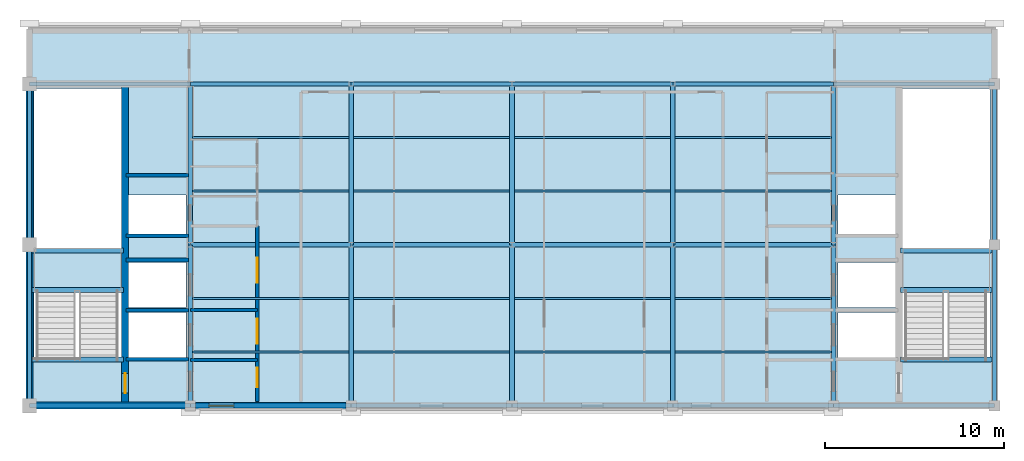
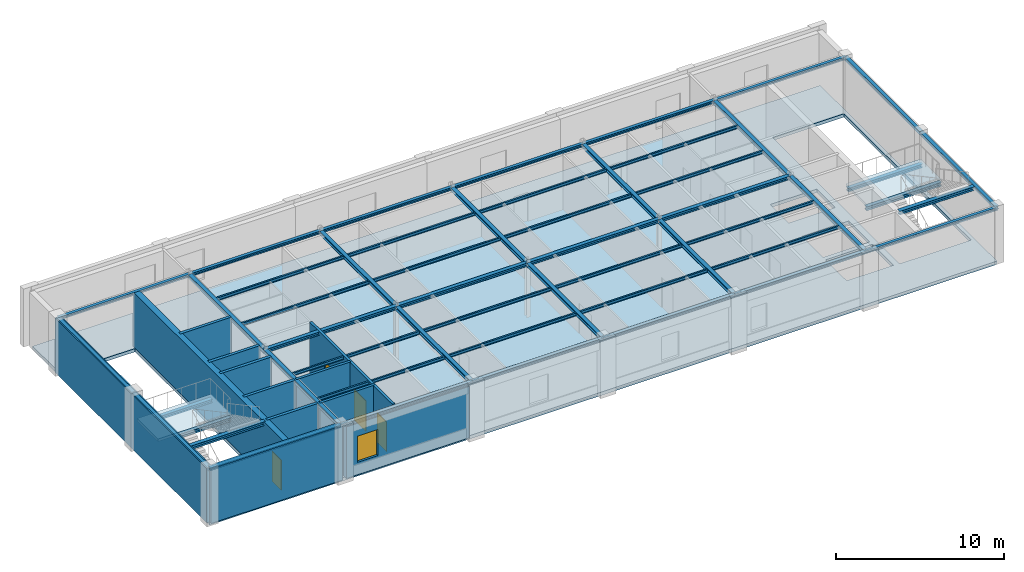
# One storey, part 3 of 7: 52 beams, 12 walls, 4 doors, 3 slabs, 1 window, 11 openings, 2 elements without a shape of their own.
"""IFC4 building model written with IfcOpenShell, lengths in metres."""

from ifc_helpers import new_model, si_unit, direction, frame, frame_2d, origin, origin_2d, place, context, subcontext, project, spatial, polyline, rectangle, i_section, outline, extrude, material, layer, layer_set, material_profile, profile_set, type_object, element, fill, aggregate, save


model = new_model("IFC4")

# Units and contexts
model_context = context("Model", 3, precision=1e-05, world=origin(), true_north=direction((0.0, 1.0)))
body_context = subcontext(model_context, "Body", "Model", "MODEL_VIEW")
ifc_project = project(units=[si_unit("LENGTHUNIT", "METRE"), si_unit("AREAUNIT", "SQUARE_METRE"), si_unit("VOLUMEUNIT", "CUBIC_METRE"), si_unit("PLANEANGLEUNIT", "RADIAN"), si_unit("MASSUNIT", "GRAM", prefix="KILO")], contexts=[model_context])

# Site, building, storey
site_placement = place(None, origin())
site = spatial("IfcSite", under=ifc_project, at=site_placement, CompositionType="ELEMENT")
building_placement = place(site_placement, origin())
building = spatial("IfcBuilding", under=site, at=building_placement, Name="Lykobir Media Centre", CompositionType="ELEMENT")
storey_placement = place(building_placement, frame((0.0, 0.0, 31.800048828125)))
storey = spatial("IfcBuildingStorey", under=building, at=storey_placement, Name="L07", CompositionType="ELEMENT", Elevation=31.800048828125)

# Beams
ifc_material_1 = material(Name="Steel S355", Category="steel")
ifc_material_profile_1 = material_profile(ifc_material_1, i_section(OverallWidth=0.260009765625, OverallDepth=0.25, WebThickness=0.007568359375, FlangeThickness=0.012451171875, at=origin_2d()), Name="HEA 260")
ifc_profile_set_1 = profile_set([ifc_material_profile_1], Name="Steel S355")
beam_type_1 = type_object("IfcBeamType", Name="BM-HEA260", PredefinedType="BEAM", material=ifc_profile_set_1)
for number, where, z_axis, x_axis, name in (
    (1, (36.0, 9.0, 3.8349609375), (1.0, 0.0, 0.0), (0.0, 1.0, 0.0), "Beam BM-L07-0360-0090-0450-0090-3564"),
    (2, (45.0, 9.0, 3.8349609375), (1.0, 0.0, 0.0), (0.0, 1.0, 0.0), "Beam BM-L07-0450-0090-0540-0090-3564"),
    (3, (54.0, 9.0, 3.8349609375), (1.0, 0.0, 0.0), (0.0, 1.0, 0.0), "Beam BM-L07-0540-0090-0630-0090-3564"),
    (4, (63.0, 9.0, 3.8349609375), (1.0, 0.0, 0.0), (0.0, 1.0, 0.0), "Beam BM-L07-0630-0090-0720-0090-3564"),
    (5, (36.0, 0.0, 3.8349609375), (0.0, 1.0, 0.0), (-1.0, 0.0, 0.0), "Beam BM-L07-0360-0000-0360-0090-3564"),
    (6, (36.0, 9.0, 3.8349609375), (0.0, 1.0, 0.0), (-1.0, 0.0, 0.0), "Beam BM-L07-0360-0090-0360-0180-3564"),
    (7, (45.0, 0.0, 3.8349609375), (0.0, 1.0, 0.0), (-1.0, 0.0, 0.0), "Beam BM-L07-0450-0000-0450-0090-3564"),
    (8, (45.0, 9.0, 3.8349609375), (0.0, 1.0, 0.0), (-1.0, 0.0, 0.0), "Beam BM-L07-0450-0090-0450-0180-3564"),
    (9, (54.0, 0.0, 3.8349609375), (0.0, 1.0, 0.0), (-1.0, 0.0, 0.0), "Beam BM-L07-0540-0000-0540-0090-3564"),
    (10, (54.0, 9.0, 3.8349609375), (0.0, 1.0, 0.0), (-1.0, 0.0, 0.0), "Beam BM-L07-0540-0090-0540-0180-3564"),
    (11, (63.0, 0.0, 3.8349609375), (0.0, 1.0, 0.0), (-1.0, 0.0, 0.0), "Beam BM-L07-0630-0000-0630-0090-3564"),
    (12, (63.0, 9.0, 3.8349609375), (0.0, 1.0, 0.0), (-1.0, 0.0, 0.0), "Beam BM-L07-0630-0090-0630-0180-3564"),
    (13, (72.0, 0.0, 3.8349609375), (0.0, 1.0, 0.0), (-1.0, 0.0, 0.0), "Beam BM-L07-0720-0000-0720-0090-3564"),
    (14, (72.0, 9.0, 3.8349609375), (0.0, 1.0, 0.0), (-1.0, 0.0, 0.0), "Beam BM-L07-0720-0090-0720-0180-3564"),
):
    element("IfcBeam", number, at=place(storey_placement, frame(where, z_axis=z_axis, x_axis=x_axis)), inside=storey, type_object=beam_type_1, Name=name, PredefinedType="BEAM", context=body_context, shape_type="SweptSolid", body=[
        extrude(i_section(OverallWidth=0.260009765625, OverallDepth=0.25, WebThickness=0.007568359375, FlangeThickness=0.012451171875, at=origin_2d()), origin(), (0.0, 0.0, 1.0), 9.0),
    ])
ifc_material_profile_2 = material_profile(ifc_material_1, i_section(OverallWidth=0.260009765625, OverallDepth=0.25, WebThickness=0.007568359375, FlangeThickness=0.012451171875, at=origin_2d()), Name="HEA 260")
ifc_profile_set_2 = profile_set([ifc_material_profile_2], Name="Steel S355")
beam_type_2 = type_object("IfcBeamType", Name="BM-ST260", PredefinedType="BEAM", material=ifc_profile_set_2)
for number, where, z_axis, x_axis, name in (
    (15, (27.1298828125, 8.679931640625, 1.780029296875), (1.0, 0.0, 0.0), (0.0, 1.0, 0.0), "ST-1 L07 half-landing support beam"),
    (16, (75.72998046875, 8.679931640625, 1.780029296875), (1.0, 0.0, 0.0), (0.0, 1.0, 0.0), "ST-2 L07 half-landing support beam"),
):
    element("IfcBeam", number, at=place(storey_placement, frame(where, z_axis=z_axis, x_axis=x_axis)), inside=storey, type_object=beam_type_2, Name=name, PredefinedType="BEAM", context=body_context, shape_type="SweptSolid", body=[
        extrude(i_section(OverallWidth=0.260009765625, OverallDepth=0.25, WebThickness=0.007568359375, FlangeThickness=0.012451171875, at=origin_2d()), origin(), (0.0, 0.0, 1.0), 5.14013671875),
    ])
ifc_material_profile_3 = material_profile(ifc_material_1, i_section(OverallWidth=0.280029296875, OverallDepth=0.27001953125, WebThickness=0.008056640625, FlangeThickness=0.012939453125, at=origin_2d()), Name="HEA 280")
ifc_profile_set_3 = profile_set([ifc_material_profile_3], Name="Steel S355")
beam_type_3 = type_object("IfcBeamType", Name="BM-ST280", PredefinedType="BEAM", material=ifc_profile_set_3)
for number, where, z_axis, x_axis, name in (
    (17, (27.1298828125, 2.580078125, 3.824951171875), (1.0, 0.0, 0.0), (0.0, 1.0, 0.0), "ST-1 L07 arrival trimmer beam"),
    (18, (27.1298828125, 6.47998046875, 1.77001953125), (1.0, 0.0, 0.0), (0.0, 1.0, 0.0), "ST-1 L07 mid-landing trimmer beam"),
    (19, (75.72998046875, 2.580078125, 3.824951171875), (1.0, 0.0, 0.0), (0.0, 1.0, 0.0), "ST-2 L07 arrival trimmer beam"),
    (20, (75.72998046875, 6.47998046875, 1.77001953125), (1.0, 0.0, 0.0), (0.0, 1.0, 0.0), "ST-2 L07 mid-landing trimmer beam"),
):
    element("IfcBeam", number, at=place(storey_placement, frame(where, z_axis=z_axis, x_axis=x_axis)), inside=storey, type_object=beam_type_3, Name=name, PredefinedType="BEAM", context=body_context, shape_type="SweptSolid", body=[
        extrude(i_section(OverallWidth=0.280029296875, OverallDepth=0.27001953125, WebThickness=0.008056640625, FlangeThickness=0.012939453125, at=origin_2d()), origin(), (0.0, 0.0, 1.0), 5.14013671875),
    ])
ifc_material_profile_4 = material_profile(ifc_material_1, i_section(OverallWidth=0.110107421875, OverallDepth=0.219970703125, WebThickness=0.005859375, FlangeThickness=0.00927734375, at=origin_2d()), Name="IPE 220")
ifc_profile_set_4 = profile_set([ifc_material_profile_4], Name="Steel S355")
beam_type_4 = type_object("IfcBeamType", Name="JS-IPE220", PredefinedType="JOIST", material=ifc_profile_set_4)
for number, where, z_axis, x_axis, name in (
    (21, (36.1298828125, 3.0, 3.849853515625), (1.0, 0.0, 0.0), (0.0, 1.0, 0.0), "Beam BM-L07-0361-0030-0449-0030-3565"),
    (22, (36.1298828125, 6.0, 3.849853515625), (1.0, 0.0, 0.0), (0.0, 1.0, 0.0), "Beam BM-L07-0361-0060-0449-0060-3565"),
    (23, (36.1298828125, 12.0, 3.849853515625), (1.0, 0.0, 0.0), (0.0, 1.0, 0.0), "Beam BM-L07-0361-0120-0449-0120-3565"),
    (24, (36.1298828125, 15.0, 3.849853515625), (1.0, 0.0, 0.0), (0.0, 1.0, 0.0), "Beam BM-L07-0361-0150-0449-0150-3565"),
    (25, (45.1298828125, 3.0, 3.849853515625), (1.0, 0.0, 0.0), (0.0, 1.0, 0.0), "Beam BM-L07-0451-0030-0539-0030-3565"),
    (26, (45.1298828125, 6.0, 3.849853515625), (1.0, 0.0, 0.0), (0.0, 1.0, 0.0), "Beam BM-L07-0451-0060-0539-0060-3565"),
    (27, (45.1298828125, 12.0, 3.849853515625), (1.0, 0.0, 0.0), (0.0, 1.0, 0.0), "Beam BM-L07-0451-0120-0539-0120-3565"),
    (28, (45.1298828125, 15.0, 3.849853515625), (1.0, 0.0, 0.0), (0.0, 1.0, 0.0), "Beam BM-L07-0451-0150-0539-0150-3565"),
    (29, (54.1298828125, 3.0, 3.849853515625), (1.0, 0.0, 0.0), (0.0, 1.0, 0.0), "Beam BM-L07-0541-0030-0629-0030-3565"),
    (30, (54.1298828125, 6.0, 3.849853515625), (1.0, 0.0, 0.0), (0.0, 1.0, 0.0), "Beam BM-L07-0541-0060-0629-0060-3565"),
    (31, (54.1298828125, 12.0, 3.849853515625), (1.0, 0.0, 0.0), (0.0, 1.0, 0.0), "Beam BM-L07-0541-0120-0629-0120-3565"),
    (32, (54.1298828125, 15.0, 3.849853515625), (1.0, 0.0, 0.0), (0.0, 1.0, 0.0), "Beam BM-L07-0541-0150-0629-0150-3565"),
    (33, (63.1298828125, 3.0, 3.849853515625), (1.0, 0.0, 0.0), (0.0, 1.0, 0.0), "Beam BM-L07-0631-0030-0719-0030-3565"),
    (34, (63.1298828125, 6.0, 3.849853515625), (1.0, 0.0, 0.0), (0.0, 1.0, 0.0), "Beam BM-L07-0631-0060-0719-0060-3565"),
    (35, (63.1298828125, 12.0, 3.849853515625), (1.0, 0.0, 0.0), (0.0, 1.0, 0.0), "Beam BM-L07-0631-0120-0719-0120-3565"),
    (36, (63.1298828125, 15.0, 3.849853515625), (1.0, 0.0, 0.0), (0.0, 1.0, 0.0), "Beam BM-L07-0631-0150-0719-0150-3565"),
):
    element("IfcBeam", number, at=place(storey_placement, frame(where, z_axis=z_axis, x_axis=x_axis)), inside=storey, type_object=beam_type_4, Name=name, PredefinedType="JOIST", context=body_context, shape_type="SweptSolid", body=[
        extrude(i_section(OverallWidth=0.110107421875, OverallDepth=0.219970703125, WebThickness=0.005859375, FlangeThickness=0.00927734375, at=origin_2d()), origin(), (0.0, 0.0, 1.0), 8.740234375),
    ])
ifc_material_profile_5 = material_profile(ifc_material_1, i_section(OverallWidth=0.219970703125, OverallDepth=0.2099609375, WebThickness=0.007080078125, FlangeThickness=0.010986328125, at=origin_2d()), Name="HEA 220")
ifc_profile_set_5 = profile_set([ifc_material_profile_5], Name="Steel S355")
beam_type_5 = type_object("IfcBeamType", Name="SP-HEA220", PredefinedType="SPANDREL", material=ifc_profile_set_5)
for number, where, z_axis, x_axis, name in (
    (37, (27.0, 18.0, 3.85498046875), (1.0, 0.0, 0.0), (0.0, 1.0, 0.0), "Beam BM-L07-0270-0180-0360-0180-3566"),
    (38, (36.0, 18.0, 3.85498046875), (1.0, 0.0, 0.0), (0.0, 1.0, 0.0), "Beam BM-L07-0360-0180-0450-0180-3566"),
    (39, (45.0, 18.0, 3.85498046875), (1.0, 0.0, 0.0), (0.0, 1.0, 0.0), "Beam BM-L07-0450-0180-0540-0180-3566"),
    (40, (54.0, 18.0, 3.85498046875), (1.0, 0.0, 0.0), (0.0, 1.0, 0.0), "Beam BM-L07-0540-0180-0630-0180-3566"),
    (41, (63.0, 18.0, 3.85498046875), (1.0, 0.0, 0.0), (0.0, 1.0, 0.0), "Beam BM-L07-0630-0180-0720-0180-3566"),
    (42, (72.0, 18.0, 3.85498046875), (1.0, 0.0, 0.0), (0.0, 1.0, 0.0), "Beam BM-L07-0720-0180-0810-0180-3566"),
):
    element("IfcBeam", number, at=place(storey_placement, frame(where, z_axis=z_axis, x_axis=x_axis)), inside=storey, type_object=beam_type_5, Name=name, PredefinedType="SPANDREL", context=body_context, shape_type="SweptSolid", body=[
        extrude(i_section(OverallWidth=0.219970703125, OverallDepth=0.2099609375, WebThickness=0.007080078125, FlangeThickness=0.010986328125, at=origin_2d()), origin(), (0.0, 0.0, 1.0), 9.0),
    ])
ifc_material_profile_6 = material_profile(ifc_material_1, i_section(OverallWidth=0.219970703125, OverallDepth=0.2099609375, WebThickness=0.007080078125, FlangeThickness=0.010986328125, at=origin_2d()), Name="HEA 220")
ifc_profile_set_6 = profile_set([ifc_material_profile_6], Name="Steel S355")
beam_type_6 = type_object("IfcBeamType", Name="SP-HEA220-E", PredefinedType="SPANDREL", material=ifc_profile_set_6)
for number, where, z_axis, x_axis, name in (
    (43, (27.0, 0.0, 3.85498046875), (1.0, 0.0, 0.0), (0.0, 1.0, 0.0), "Beam BM-L07-0270-0000-0360-0000-3566"),
    (44, (36.0, 0.0, 3.85498046875), (1.0, 0.0, 0.0), (0.0, 1.0, 0.0), "Beam BM-L07-0360-0000-0450-0000-3566"),
    (45, (45.0, 0.0, 3.85498046875), (1.0, 0.0, 0.0), (0.0, 1.0, 0.0), "Beam BM-L07-0450-0000-0540-0000-3566"),
    (46, (54.0, 0.0, 3.85498046875), (1.0, 0.0, 0.0), (0.0, 1.0, 0.0), "Beam BM-L07-0540-0000-0630-0000-3566"),
    (47, (63.0, 0.0, 3.85498046875), (1.0, 0.0, 0.0), (0.0, 1.0, 0.0), "Beam BM-L07-0630-0000-0720-0000-3566"),
    (48, (72.0, 0.0, 3.85498046875), (1.0, 0.0, 0.0), (0.0, 1.0, 0.0), "Beam BM-L07-0720-0000-0810-0000-3566"),
):
    element("IfcBeam", number, at=place(storey_placement, frame(where, z_axis=z_axis, x_axis=x_axis)), inside=storey, type_object=beam_type_6, Name=name, PredefinedType="SPANDREL", context=body_context, shape_type="SweptSolid", body=[
        extrude(i_section(OverallWidth=0.219970703125, OverallDepth=0.2099609375, WebThickness=0.007080078125, FlangeThickness=0.010986328125, at=origin_2d()), origin(), (0.0, 0.0, 1.0), 9.0),
    ])
ifc_material_profile_7 = material_profile(ifc_material_1, i_section(OverallWidth=0.239990234375, OverallDepth=0.22998046875, WebThickness=0.007568359375, FlangeThickness=0.011962890625, at=origin_2d()), Name="HEA 240")
ifc_profile_set_7 = profile_set([ifc_material_profile_7], Name="Steel S355")
beam_type_7 = type_object("IfcBeamType", Name="SP-HEA240", PredefinedType="SPANDREL", material=ifc_profile_set_7)
for number, where, z_axis, x_axis, name in (
    (49, (27.0, 0.0, 3.844970703125), (0.0, 1.0, 0.0), (-1.0, 0.0, 0.0), "Beam BM-L07-0270-0000-0270-0090-3565"),
    (50, (27.0, 9.0, 3.844970703125), (0.0, 1.0, 0.0), (-1.0, 0.0, 0.0), "Beam BM-L07-0270-0090-0270-0180-3565"),
):
    element("IfcBeam", number, at=place(storey_placement, frame(where, z_axis=z_axis, x_axis=x_axis)), inside=storey, type_object=beam_type_7, Name=name, PredefinedType="SPANDREL", context=body_context, shape_type="SweptSolid", body=[
        extrude(i_section(OverallWidth=0.239990234375, OverallDepth=0.22998046875, WebThickness=0.007568359375, FlangeThickness=0.011962890625, at=origin_2d()), origin(), (0.0, 0.0, 1.0), 9.0),
    ])
ifc_material_profile_8 = material_profile(ifc_material_1, i_section(OverallWidth=0.239990234375, OverallDepth=0.22998046875, WebThickness=0.007568359375, FlangeThickness=0.011962890625, at=origin_2d()), Name="HEA 240")
ifc_profile_set_8 = profile_set([ifc_material_profile_8], Name="Steel S355")
beam_type_8 = type_object("IfcBeamType", Name="SP-HEA240-E", PredefinedType="SPANDREL", material=ifc_profile_set_8)
for number, where, z_axis, x_axis, name in (
    (51, (81.0, 0.0, 3.844970703125), (0.0, 1.0, 0.0), (-1.0, 0.0, 0.0), "Beam BM-L07-0810-0000-0810-0090-3565"),
    (52, (81.0, 9.0, 3.844970703125), (0.0, 1.0, 0.0), (-1.0, 0.0, 0.0), "Beam BM-L07-0810-0090-0810-0180-3565"),
):
    element("IfcBeam", number, at=place(storey_placement, frame(where, z_axis=z_axis, x_axis=x_axis)), inside=storey, type_object=beam_type_8, Name=name, PredefinedType="SPANDREL", context=body_context, shape_type="SweptSolid", body=[
        extrude(i_section(OverallWidth=0.239990234375, OverallDepth=0.22998046875, WebThickness=0.007568359375, FlangeThickness=0.011962890625, at=origin_2d()), origin(), (0.0, 0.0, 1.0), 9.0),
    ])

# Slab, openings
ifc_material_2 = material(Name="Concrete C30/37", Category="concrete")
ifc_layer_1 = layer(ifc_material_2, 0.239990234375, Name="Concrete C30/37")
ifc_layer_set_1 = layer_set([ifc_layer_1], Name="Concrete C30/37")
slab_type_1 = type_object("IfcSlabType", Name="FS-240", PredefinedType="FLOOR", material=ifc_layer_set_1)
slab_1_placement = place(storey_placement, frame((0.0, 0.0, -0.239990234375)))
slab_1 = element("IfcSlab", 53, at=slab_1_placement, inside=storey, type_object=slab_type_1, Name="L07 structural slab 1", PredefinedType="FLOOR", context=body_context, shape_type="SweptSolid", body=[
    extrude(outline(polyline([(81.0, 0.0), (81.0, 21.0), (27.0, 21.0), (27.0, 0.0), (81.0, 0.0)]), holes=[polyline([(27.25, 2.64990234375), (27.25, 17.75), (32.14990234375, 17.75), (32.14990234375, 2.64990234375), (27.25, 2.64990234375)]), polyline([(75.85009765625, 2.64990234375), (75.85009765625, 17.75), (80.75, 17.75), (80.75, 2.64990234375), (75.85009765625, 2.64990234375)])]), origin(), (0.0, 0.0, 1.0), 0.239990234375),
])
opening_1_placement = place(slab_1_placement, frame((34.14990234375, 3.949951171875, 0.0)))
element("IfcOpeningElement", 54, at=opening_1_placement, cuts=slab_1, Name="Shaft opening C1-pass_shaft-L07", PredefinedType="OPENING", context=body_context, shape_type="SweptSolid", body=[
    extrude(rectangle(XDim=3.199951171875, YDim=2.5, at=origin_2d()), origin(), (0.0, 0.0, 1.0), 0.239990234375),
])
opening_2_placement = place(slab_1_placement, frame((34.14990234375, 6.75, 0.0)))
element("IfcOpeningElement", 55, at=opening_2_placement, cuts=slab_1, Name="Shaft opening C1-ff_shaft-L07", PredefinedType="OPENING", context=body_context, shape_type="SweptSolid", body=[
    extrude(rectangle(XDim=3.199951171875, YDim=2.5, at=origin_2d()), origin(), (0.0, 0.0, 1.0), 0.239990234375),
])
opening_3_placement = place(slab_1_placement, frame((34.14990234375, 10.699951171875, 0.0)))
element("IfcOpeningElement", 56, at=opening_3_placement, cuts=slab_1, Name="Shaft opening C1-riser_shaft-L07", PredefinedType="OPENING", context=body_context, shape_type="SweptSolid", body=[
    extrude(rectangle(XDim=3.199951171875, YDim=2.199951171875, at=origin_2d()), origin(), (0.0, 0.0, 1.0), 0.239990234375),
])
opening_4_placement = place(slab_1_placement, frame((73.85009765625, 3.949951171875, 0.0)))
element("IfcOpeningElement", 57, at=opening_4_placement, cuts=slab_1, Name="Shaft opening C2-pass_shaft-L07", PredefinedType="OPENING", context=body_context, shape_type="SweptSolid", body=[
    extrude(rectangle(XDim=3.199951171875, YDim=2.5, at=origin_2d()), origin(), (0.0, 0.0, 1.0), 0.239990234375),
])
opening_5_placement = place(slab_1_placement, frame((73.85009765625, 6.75, 0.0)))
element("IfcOpeningElement", 58, at=opening_5_placement, cuts=slab_1, Name="Shaft opening C2-ff_shaft-L07", PredefinedType="OPENING", context=body_context, shape_type="SweptSolid", body=[
    extrude(rectangle(XDim=3.199951171875, YDim=2.5, at=origin_2d()), origin(), (0.0, 0.0, 1.0), 0.239990234375),
])
opening_6_placement = place(slab_1_placement, frame((73.85009765625, 10.699951171875, 0.0)))
element("IfcOpeningElement", 59, at=opening_6_placement, cuts=slab_1, Name="Shaft opening C2-riser_shaft-L07", PredefinedType="OPENING", context=body_context, shape_type="SweptSolid", body=[
    extrude(rectangle(XDim=3.199951171875, YDim=2.199951171875, at=origin_2d()), origin(), (0.0, 0.0, 1.0), 0.239990234375),
])

# Stair, slab
stair_type = type_object("IfcStairType", Name="ST-HT-420", PredefinedType="HALF_TURN_STAIR", material=ifc_material_2)
stair_1_placement = place(storey_placement, origin())
stair_1 = element("IfcStair", 60, at=stair_1_placement, inside=storey, type_object=stair_type, Name="Escape stair ST-1 L07", PredefinedType="HALF_TURN_STAIR")
ifc_layer_2 = layer(ifc_material_2, 0.195068359375, Name="Concrete C30/37")
ifc_layer_set_2 = layer_set([ifc_layer_2], Name="Concrete C30/37")
slab_type_2 = type_object("IfcSlabType", Name="SL-195", PredefinedType="LANDING", material=ifc_layer_set_2)
slab_2_placement = place(storey_placement, frame((0.0, 0.0, 1.905029296875)))
slab_2 = element("IfcSlab", 61, at=slab_2_placement, type_object=slab_type_2, Name="ST-1-L07 landing 1", PredefinedType="LANDING", context=body_context, shape_type="SweptSolid", body=[
    extrude(outline(polyline([(27.1298828125, 6.35009765625), (32.27001953125, 6.35009765625), (32.27001953125, 8.830078125), (27.1298828125, 8.830078125), (27.1298828125, 6.35009765625)])), origin(), (0.0, 0.0, 1.0), 0.19482421875),
])
aggregate(stair_1, [slab_2])

stair_2_placement = place(storey_placement, origin())
stair_2 = element("IfcStair", 62, at=stair_2_placement, inside=storey, type_object=stair_type, Name="Escape stair ST-2 L07", PredefinedType="HALF_TURN_STAIR")
slab_3_placement = place(storey_placement, frame((0.0, 0.0, 1.905029296875)))
slab_3 = element("IfcSlab", 63, at=slab_3_placement, type_object=slab_type_2, Name="ST-2-L07 landing 1", PredefinedType="LANDING", context=body_context, shape_type="SweptSolid", body=[
    extrude(outline(polyline([(75.72998046875, 6.35009765625), (80.8701171875, 6.35009765625), (80.8701171875, 8.830078125), (75.72998046875, 8.830078125), (75.72998046875, 6.35009765625)])), origin(), (0.0, 0.0, 1.0), 0.19482421875),
])
aggregate(stair_2, [slab_3])

# Wall, opening, window
ifc_material_3 = material(Name="Architectural Ochre Brick", Category="masonry")
ifc_layer_3 = layer(ifc_material_3, 0.360107421875, Name="Architectural Ochre Brick")
ifc_layer_set_3 = layer_set([ifc_layer_3], Name="Architectural Ochre Brick")
wall_type_1 = type_object("IfcWallType", Name="EW-BRK-360", PredefinedType="STANDARD", material=ifc_layer_set_3)
wall_1_placement = place(storey_placement, frame((36.284912109375, 0.0, 0.0), z_axis=(0.0, 0.0, 1.0), x_axis=(1.0, 0.0, 0.0)))
wall_1 = element("IfcWall", 64, at=wall_1_placement, inside=storey, type_object=wall_type_1, Name="Exterior wall WALL-L07-0368", PredefinedType="STANDARD", context=body_context, shape_type="SweptSolid", body=[
    extrude(rectangle(XDim=8.43017578125, YDim=0.360107421875, at=frame_2d((4.215087890625, 0.0))), origin(), (0.0, 0.0, 1.0), 3.73486328125),
])
opening_7_placement = place(wall_1_placement, frame((0.75, 0.0, 0.89990234375)))
opening_7 = element("IfcOpeningElement", 65, at=opening_7_placement, cuts=wall_1, Name="Opening WN-1400x1900", PredefinedType="OPENING", context=body_context, shape_type="SweptSolid", body=[
    extrude(rectangle(XDim=1.39990234375, YDim=1.89990234375, at=frame_2d((0.699951171875, 0.949951171875))), frame((0.0, 0.18994140625, 0.0), z_axis=(0.0, -1.0, 0.0), x_axis=(1.0, 0.0, 0.0)), (0.0, 0.0, 1.0), 0.380126953125),
])
ifc_material_4 = material(Name="Low-E Laminated Triple Glazing", Category="glass")
window_type = type_object("IfcWindowType", Name="WN-1400x1900", PartitioningType="SINGLE_PANEL", PredefinedType="WINDOW", material=ifc_material_4)
window_placement = place(opening_7_placement, origin())
window = element("IfcWindow", 66, at=window_placement, inside=storey, type_object=window_type, Name="Window WIN-L07-0169", OverallHeight=1.89990234375, OverallWidth=1.39990234375, PartitioningType="SINGLE_PANEL", PredefinedType="WINDOW", context=body_context, shape_type="SweptSolid", body=[
    extrude(rectangle(XDim=1.39990234375, YDim=1.89990234375, at=frame_2d((0.699951171875, 0.949951171875))), frame((0.0, 0.030029296875, 0.0), z_axis=(0.0, -1.0, 0.0), x_axis=(1.0, 0.0, 0.0)), (0.0, 0.0, 1.0), 0.06005859375),
])
fill(opening_7, window)

# Wall, openings, doors
ifc_material_5 = material(Name="Acoustic Gypsum Board", Category="gypsum")
ifc_layer_4 = layer(ifc_material_5, 0.179931640625, Name="Acoustic Gypsum Board")
ifc_layer_set_4 = layer_set([ifc_layer_4], Name="Acoustic Gypsum Board")
wall_type_2 = type_object("IfcWallType", Name="IW-FFLOB-180", PredefinedType="PARTITIONING", material=ifc_layer_set_4)
wall_2_placement = place(storey_placement, frame((39.75, 0.219970703125, 0.0), z_axis=(0.0, 0.0, 1.0), x_axis=(0.0, 1.0, 0.0)))
wall_2 = element("IfcWall", 67, at=wall_2_placement, inside=storey, type_object=wall_type_2, Name="Wall IWALL-L07-0155", PredefinedType="PARTITIONING", context=body_context, shape_type="SweptSolid", body=[
    extrude(rectangle(XDim=9.830078125, YDim=0.179931640625, at=frame_2d((4.9150390625, 0.0))), origin(), (0.0, 0.0, 1.0), 3.9599609375),
])
opening_8_placement = place(wall_2_placement, frame((0.800048828125, 0.0, 0.0)))
opening_8 = element("IfcOpeningElement", 68, at=opening_8_placement, cuts=wall_2, Name="Opening D-L07-C1LV", PredefinedType="OPENING", context=body_context, shape_type="SweptSolid", body=[
    extrude(rectangle(XDim=1.10009765625, YDim=2.159912109375, at=frame_2d((0.550048828125, 1.080078125))), frame((0.0, 0.099853515625, 0.0), z_axis=(0.0, -1.0, 0.0), x_axis=(1.0, 0.0, 0.0)), (0.0, 0.0, 1.0), 0.199951171875),
])
opening_9_placement = place(wall_2_placement, frame((3.25, 0.0, 0.0)))
opening_9 = element("IfcOpeningElement", 69, at=opening_9_placement, cuts=wall_2, Name="Opening D-L07-C1PL", PredefinedType="OPENING", context=body_context, shape_type="SweptSolid", body=[
    extrude(rectangle(XDim=1.39990234375, YDim=2.199951171875, at=frame_2d((0.699951171875, 1.10009765625))), frame((0.0, 0.099853515625, 0.0), z_axis=(0.0, -1.0, 0.0), x_axis=(1.0, 0.0, 0.0)), (0.0, 0.0, 1.0), 0.199951171875),
])
opening_10_placement = place(wall_2_placement, frame((6.64990234375, 0.0, 0.0)))
opening_10 = element("IfcOpeningElement", 70, at=opening_10_placement, cuts=wall_2, Name="Opening D-L07-C1FF", PredefinedType="OPENING", context=body_context, shape_type="SweptSolid", body=[
    extrude(rectangle(XDim=1.39990234375, YDim=2.199951171875, at=frame_2d((0.699951171875, 1.10009765625))), frame((0.0, 0.099853515625, 0.0), z_axis=(0.0, -1.0, 0.0), x_axis=(1.0, 0.0, 0.0)), (0.0, 0.0, 1.0), 0.199951171875),
])
ifc_material_6 = material(Name="Acoustic Timber Panelling", Category="wood")
door_type_1 = type_object("IfcDoorType", Name="FD-1100x2160", OperationType="NOTDEFINED", PredefinedType="DOOR", material=ifc_material_6)
door_1_placement = place(opening_8_placement, origin())
door_1 = element("IfcDoor", 71, at=door_1_placement, inside=storey, type_object=door_type_1, Name="Door D-L07-C1LV", OperationType="SINGLE_SWING_RIGHT", OverallHeight=2.159912109375, OverallWidth=1.10009765625, PredefinedType="DOOR", context=body_context, shape_type="SweptSolid", body=[
    extrude(rectangle(XDim=1.10009765625, YDim=2.159912109375, at=frame_2d((0.550048828125, 1.080078125))), frame((0.0, 0.02490234375, 0.0), z_axis=(0.0, -1.0, 0.0), x_axis=(1.0, 0.0, 0.0)), (0.0, 0.0, 1.0), 0.050048828125),
])
fill(opening_8, door_1)
door_type_2 = type_object("IfcDoorType", Name="FD-1400x2200", OperationType="NOTDEFINED", PredefinedType="DOOR", material=ifc_material_6)
door_2_placement = place(opening_9_placement, origin())
door_2 = element("IfcDoor", 72, at=door_2_placement, inside=storey, type_object=door_type_2, Name="Door D-L07-C1PL", OperationType="DOUBLE_DOOR_SINGLE_SWING", OverallHeight=2.199951171875, OverallWidth=1.39990234375, PredefinedType="DOOR", context=body_context, shape_type="SweptSolid", body=[
    extrude(rectangle(XDim=1.39990234375, YDim=2.199951171875, at=frame_2d((0.699951171875, 1.10009765625))), frame((0.0, 0.02490234375, 0.0), z_axis=(0.0, -1.0, 0.0), x_axis=(1.0, 0.0, 0.0)), (0.0, 0.0, 1.0), 0.050048828125),
])
fill(opening_9, door_2)
door_3_placement = place(opening_10_placement, origin())
door_3 = element("IfcDoor", 73, at=door_3_placement, inside=storey, type_object=door_type_2, Name="Door D-L07-C1FF", OperationType="DOUBLE_DOOR_SINGLE_SWING", OverallHeight=2.199951171875, OverallWidth=1.39990234375, PredefinedType="DOOR", context=body_context, shape_type="SweptSolid", body=[
    extrude(rectangle(XDim=1.39990234375, YDim=2.199951171875, at=frame_2d((0.699951171875, 1.10009765625))), frame((0.0, 0.02490234375, 0.0), z_axis=(0.0, -1.0, 0.0), x_axis=(1.0, 0.0, 0.0)), (0.0, 0.0, 1.0), 0.050048828125),
])
fill(opening_10, door_3)

# Walls
for number, where, z_axis, x_axis, name in (
    (74, (36.0, 2.550048828125, 0.0), (0.0, 0.0, 1.0), (1.0, 0.0, 0.0), "Wall IWALL-L07-0156"),
    (75, (36.0, 5.35009765625, 0.0), (0.0, 0.0, 1.0), (1.0, 0.0, 0.0), "Wall IWALL-L07-0157"),
):
    element("IfcWall", number, at=place(storey_placement, frame(where, z_axis=z_axis, x_axis=x_axis)), inside=storey, type_object=wall_type_2, Name=name, PredefinedType="PARTITIONING", context=body_context, shape_type="SweptSolid", body=[
        extrude(rectangle(XDim=3.75, YDim=0.179931640625, at=frame_2d((1.875, 0.0))), origin(), (0.0, 0.0, 1.0), 3.9599609375),
    ])
ifc_layer_5 = layer(ifc_material_2, 0.199951171875, Name="Concrete C30/37")
ifc_layer_set_5 = layer_set([ifc_layer_5], Name="Concrete C30/37")
wall_type_3 = type_object("IfcWallType", Name="IW-SHAFT-200", PredefinedType="PARTITIONING", material=ifc_layer_set_5)
for number, where, z_axis, x_axis, name in (
    (76, (32.39990234375, 2.60009765625, 0.0), (0.0, 0.0, 1.0), (1.0, 0.0, 0.0), "Wall IWALL-L07-0150"),
    (77, (32.39990234375, 5.35009765625, 0.0), (0.0, 0.0, 1.0), (1.0, 0.0, 0.0), "Wall IWALL-L07-0151"),
    (78, (32.39990234375, 8.14990234375, 0.0), (0.0, 0.0, 1.0), (1.0, 0.0, 0.0), "Wall IWALL-L07-0152"),
    (79, (32.39990234375, 9.5, 0.0), (0.0, 0.0, 1.0), (1.0, 0.0, 0.0), "Wall IWALL-L07-0153"),
    (80, (32.39990234375, 12.89990234375, 0.0), (0.0, 0.0, 1.0), (1.0, 0.0, 0.0), "Wall IWALL-L07-0154"),
):
    element("IfcWall", number, at=place(storey_placement, frame(where, z_axis=z_axis, x_axis=x_axis)), inside=storey, type_object=wall_type_3, Name=name, PredefinedType="PARTITIONING", context=body_context, shape_type="SweptSolid", body=[
        extrude(rectangle(XDim=3.5, YDim=0.199951171875, at=frame_2d((1.75, 0.0))), origin(), (0.0, 0.0, 1.0), 3.9599609375),
    ])

# Wall, opening, door
ifc_material_7 = material(Name="Concrete C40/50", Category="concrete")
ifc_layer_6 = layer(ifc_material_7, 0.39990234375, Name="Concrete C40/50")
ifc_layer_set_6 = layer_set([ifc_layer_6], Name="Concrete C40/50")
wall_type_4 = type_object("IfcWallType", Name="SW-CORE-400", PredefinedType="SHEAR", material=ifc_layer_set_6)
wall_3_placement = place(storey_placement, frame((32.35009765625, 0.0, 0.0), z_axis=(0.0, 0.0, 1.0), x_axis=(0.0, 1.0, 0.0)))
wall_3 = element("IfcWall", 81, at=wall_3_placement, inside=storey, type_object=wall_type_4, Name="Wall IWALL-L07-0149", PredefinedType="SHEAR", context=body_context, shape_type="SweptSolid", body=[
    extrude(rectangle(XDim=18.0, YDim=0.39990234375, at=frame_2d((9.0, 0.0))), origin(), (0.0, 0.0, 1.0), 3.9599609375),
])
opening_11_placement = place(wall_3_placement, frame((0.699951171875, 0.0, 0.0)))
opening_11 = element("IfcOpeningElement", 82, at=opening_11_placement, cuts=wall_3, Name="Opening D-L07-C1ST", PredefinedType="OPENING", context=body_context, shape_type="SweptSolid", body=[
    extrude(rectangle(XDim=1.10009765625, YDim=2.159912109375, at=frame_2d((0.550048828125, 1.080078125))), frame((0.0, 0.2099609375, 0.0), z_axis=(0.0, -1.0, 0.0), x_axis=(1.0, 0.0, 0.0)), (0.0, 0.0, 1.0), 0.419921875),
])
door_4_placement = place(opening_11_placement, frame((1.10009765625, 0.0, 0.0), z_axis=(0.0, 0.0, 1.0), x_axis=(-1.0, 0.0, 0.0)))
door_4 = element("IfcDoor", 83, at=door_4_placement, inside=storey, type_object=door_type_1, Name="L07 ST-1 stairwell fire door", OperationType="SINGLE_SWING_LEFT", OverallHeight=2.159912109375, OverallWidth=1.10009765625, PredefinedType="DOOR", context=body_context, shape_type="SweptSolid", body=[
    extrude(rectangle(XDim=1.10009765625, YDim=2.159912109375, at=frame_2d((0.550048828125, 1.080078125))), frame((0.0, 0.02490234375, 0.0), z_axis=(0.0, -1.0, 0.0), x_axis=(1.0, 0.0, 0.0)), (0.0, 0.0, 1.0), 0.050048828125),
])
fill(opening_11, door_4)

# Walls
ifc_layer_7 = layer(ifc_material_7, 0.39990234375, Name="Concrete C40/50")
ifc_layer_set_7 = layer_set([ifc_layer_7], Name="Concrete C40/50")
wall_type_5 = type_object("IfcWallType", Name="SW-CORE-400-E", PredefinedType="SHEAR", material=ifc_layer_set_7)
wall_4_placement = place(storey_placement, frame((27.0, 0.0, 0.0), z_axis=(0.0, 0.0, 1.0), x_axis=(1.0, 0.0, 0.0)))
element("IfcWall", 84, at=wall_4_placement, inside=storey, type_object=wall_type_5, Name="Wall IWALL-L07-0145", PredefinedType="SHEAR", context=body_context, shape_type="SweptSolid", body=[
    extrude(rectangle(XDim=9.0, YDim=0.39990234375, at=frame_2d((4.5, 0.0))), origin(), (0.0, 0.0, 1.0), 3.9599609375),
])
wall_5_placement = place(storey_placement, frame((27.0, 18.0, 0.0), z_axis=(0.0, 0.0, 1.0), x_axis=(0.0, -1.0, 0.0)))
element("IfcWall", 85, at=wall_5_placement, inside=storey, type_object=wall_type_5, Name="Wall IWALL-L07-0148", PredefinedType="SHEAR", context=body_context, shape_type="SweptSolid", body=[
    extrude(rectangle(XDim=18.0, YDim=0.39990234375, at=frame_2d((9.0, 0.0))), origin(), (0.0, 0.0, 1.0), 3.9599609375),
])

save(model, "model.ifc")
